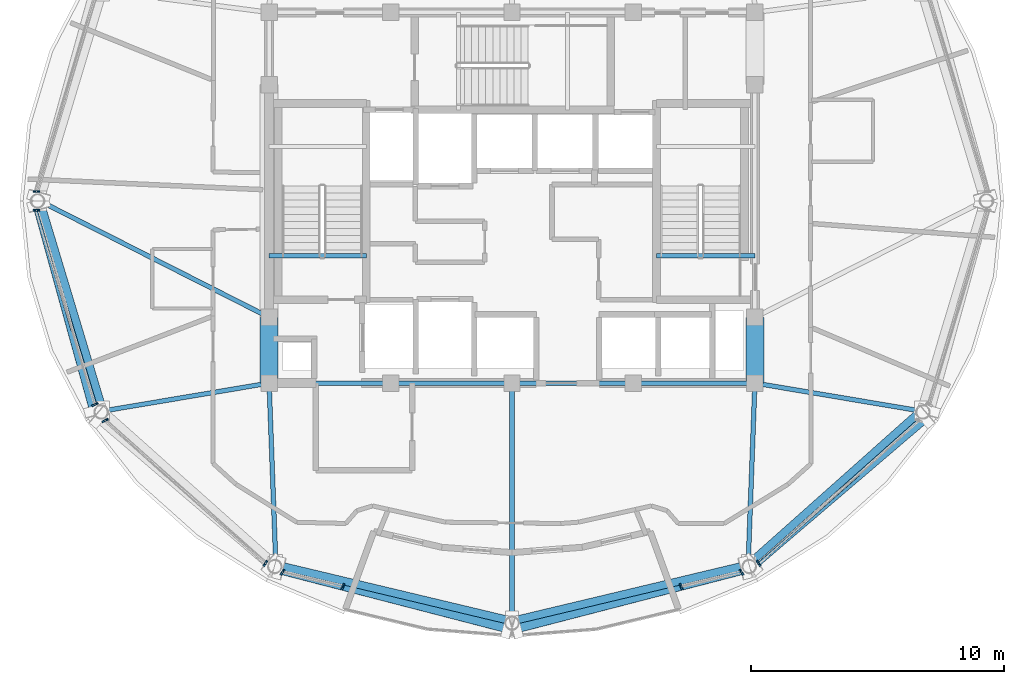
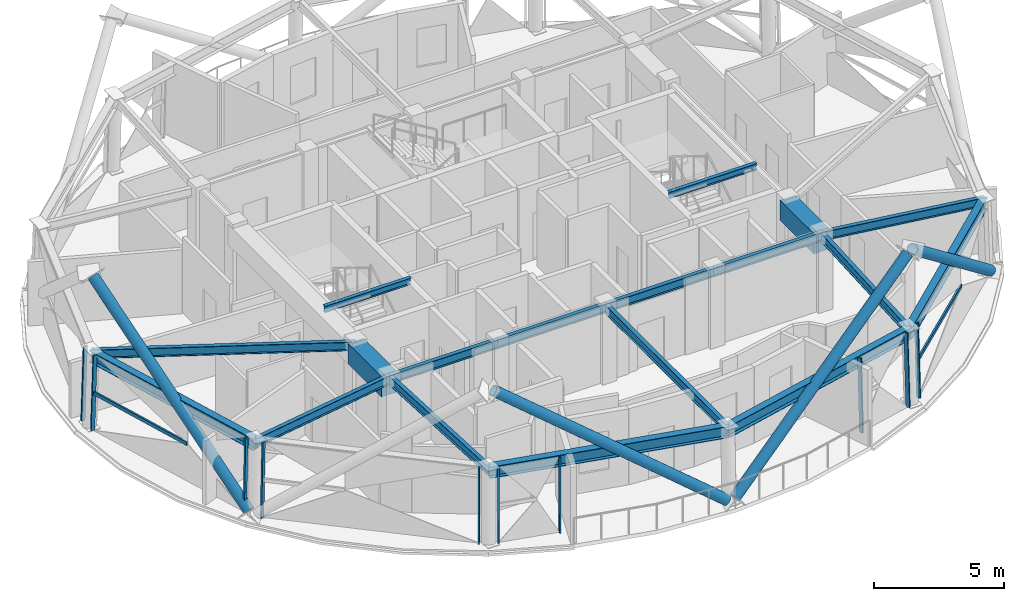
# One storey, part 2 of 13: 18 beams, 16 members, 6 elements without a shape of their own.
"""IFC4 building model written with IfcOpenShell, lengths in metres."""

from ifc_helpers import new_model, si_unit, direction, frame, origin, origin_2d, place, context, subcontext, project, spatial, rectangle, hollow_rectangle, hollow_circle, i_section, extrude, material, layer, layer_set, material_profile, profile_set, type_object, element, aggregate, save


model = new_model("IFC4")

# Units and contexts
model_context = context("Model", 3, precision=1e-05, world=origin(), true_north=direction((0.0, 1.0)))
body_context = subcontext(model_context, "Body", "Model", "MODEL_VIEW")
ifc_project = project(units=[si_unit("LENGTHUNIT", "METRE"), si_unit("AREAUNIT", "SQUARE_METRE"), si_unit("VOLUMEUNIT", "CUBIC_METRE"), si_unit("PLANEANGLEUNIT", "RADIAN"), si_unit("MASSUNIT", "GRAM", prefix="KILO")], contexts=[model_context])

# Site, building, storey
site_placement = place(None, origin())
site = spatial("IfcSite", under=ifc_project, at=site_placement, CompositionType="ELEMENT")
building_placement = place(site_placement, origin())
building = spatial("IfcBuilding", under=site, at=building_placement, Name="Vantalir Tower", CompositionType="ELEMENT")
storey_placement = place(building_placement, frame((0.0, 0.0, 282.60009765625)))
storey = spatial("IfcBuildingStorey", under=building, at=storey_placement, Name="L71", CompositionType="ELEMENT", Elevation=282.60009765625)

# Beams
ifc_material_1 = material(Name="Concrete C60/75", Category="concrete")
ifc_material_profile_1 = material_profile(ifc_material_1, rectangle(XDim=0.699951171875, YDim=0.949951171875, at=origin_2d()), Name="Concrete C60/75")
ifc_profile_set_1 = profile_set([ifc_material_profile_1], Name="Concrete C60/75")
beam_type_1 = type_object("IfcBeamType", Name="BM-CB-700x950", PredefinedType="USERDEFINED", material=ifc_profile_set_1)
for number, where, z_axis, x_axis, name in (
    (1, (41.10009765625, 17.800048828125, 3.094970703125), (0.0, 1.0, 0.0), (-1.0, 0.0, 0.0), "L71 Core Coupling Girder 05"),
    (2, (21.89990234375, 20.39990234375, 3.094970703125), (0.0, -1.0, 0.0), (1.0, 0.0, 0.0), "L71 Core Coupling Girder 14"),
):
    element("IfcBeam", number, at=place(storey_placement, frame(where, z_axis=z_axis, x_axis=x_axis)), inside=storey, type_object=beam_type_1, Name=name, ObjectType="GIRDER", PredefinedType="USERDEFINED", context=body_context, shape_type="SweptSolid", body=[
        extrude(rectangle(XDim=0.699951171875, YDim=0.949951171875, at=origin_2d()), origin(), (0.0, 0.0, 1.0), 2.599853515625),
    ])
ifc_material_2 = material(Name="Steel S355", Category="steel")
ifc_material_profile_2 = material_profile(ifc_material_2, i_section(OverallWidth=0.166015625, OverallDepth=0.306884765625, WebThickness=0.006591796875, FlangeThickness=0.01171875, at=origin_2d()), Name="Steel S355")
ifc_profile_set_2 = profile_set([ifc_material_profile_2], Name="Steel S355")
beam_type_2 = type_object("IfcBeamType", Name="BM-JS-305x165", PredefinedType="JOIST", material=ifc_profile_set_2)
beam_1_placement = place(storey_placement, frame((21.89990234375, 22.8349609375, 3.595947265625), z_axis=(1.0, 0.0, 0.0), x_axis=(0.0, 1.0, 0.0)))
element("IfcBeam", 3, at=beam_1_placement, inside=storey, type_object=beam_type_2, Name="L72 Stair ST1 Well Nosing Trimmer Beam", PredefinedType="JOIST", context=body_context, shape_type="SweptSolid", body=[
    extrude(i_section(OverallWidth=0.166015625, OverallDepth=0.306884765625, WebThickness=0.006591796875, FlangeThickness=0.01171875, at=origin_2d()), origin(), (0.0, 0.0, 1.0), 3.840087890625),
])
beam_2_placement = place(storey_placement, frame((37.2099609375, 22.8349609375, 3.595947265625), z_axis=(1.0, 0.0, 0.0), x_axis=(0.0, 1.0, 0.0)))
element("IfcBeam", 4, at=beam_2_placement, inside=storey, type_object=beam_type_2, Name="L72 Stair ST2 Well Nosing Trimmer Beam", PredefinedType="JOIST", context=body_context, shape_type="SweptSolid", body=[
    extrude(i_section(OverallWidth=0.166015625, OverallDepth=0.306884765625, WebThickness=0.006591796875, FlangeThickness=0.01171875, at=origin_2d()), origin(), (0.0, 0.0, 1.0), 3.89013671875),
])
ifc_material_profile_3 = material_profile(ifc_material_2, i_section(OverallWidth=0.179931640625, OverallDepth=0.4130859375, WebThickness=0.009521484375, FlangeThickness=0.01611328125, at=origin_2d()), Name="Steel S355")
ifc_profile_set_3 = profile_set([ifc_material_profile_3], Name="Steel S355")
beam_type_3 = type_object("IfcBeamType", Name="BM-RB-406x178", PredefinedType="BEAM", material=ifc_profile_set_3)
for number, where, z_axis, x_axis, name in (
    (5, (21.89990234375, 17.800048828125, 3.364013671875), (1.0, 0.0, 0.0), (0.0, 1.0, 0.0), "L71 Core Coupling Girder 01"),
    (6, (26.699951171875, 17.800048828125, 3.364013671875), (1.0, 0.0, 0.0), (0.0, 1.0, 0.0), "L71 Core Coupling Girder 02"),
    (7, (31.5, 17.800048828125, 3.364013671875), (1.0, 0.0, 0.0), (0.0, 1.0, 0.0), "L71 Core Coupling Girder 03"),
    (8, (36.300048828125, 17.800048828125, 3.364013671875), (1.0, 0.0, 0.0), (0.0, 1.0, 0.0), "L71 Core Coupling Girder 04"),
):
    element("IfcBeam", number, at=place(storey_placement, frame(where, z_axis=z_axis, x_axis=x_axis)), inside=storey, type_object=beam_type_3, Name=name, PredefinedType="BEAM", context=body_context, shape_type="SweptSolid", body=[
        extrude(i_section(OverallWidth=0.179931640625, OverallDepth=0.4130859375, WebThickness=0.009521484375, FlangeThickness=0.01611328125, at=origin_2d()), origin(), (0.0, 0.0, 1.0), 4.800048828125),
    ])
beam_3_placement = place(storey_placement, frame((12.8349609375, 25.0, 3.364013671875), z_axis=(0.891750275666, -0.452527839862, 0.0), x_axis=(0.452527839862, 0.891750275666, 0.0)))
element("IfcBeam", 9, at=beam_3_placement, inside=storey, type_object=beam_type_3, Name="L71 Radial Floor Beam 07", PredefinedType="BEAM", context=body_context, shape_type="SweptSolid", body=[
    extrude(i_section(OverallWidth=0.179931640625, OverallDepth=0.4130859375, WebThickness=0.009521484375, FlangeThickness=0.01611328125, at=origin_2d()), origin(), (0.0, 0.0, 1.0), 10.165283203125),
])
beam_4_placement = place(storey_placement, frame((15.3359375, 16.697021484375, 3.364013671875), z_axis=(0.986172961214, 0.165719312607, 0.0), x_axis=(-0.165719312607, 0.986172961214, 0.0)))
element("IfcBeam", 10, at=beam_4_placement, inside=storey, type_object=beam_type_3, Name="L71 Radial Floor Beam 08", PredefinedType="BEAM", context=body_context, shape_type="SweptSolid", body=[
    extrude(i_section(OverallWidth=0.179931640625, OverallDepth=0.4130859375, WebThickness=0.009521484375, FlangeThickness=0.01611328125, at=origin_2d()), origin(), (0.0, 0.0, 1.0), 6.656005859375),
])
beam_5_placement = place(storey_placement, frame((22.1669921875, 10.618896484375, 3.364013671875), z_axis=(-0.037167474722, 0.999309050706, 0.0), x_axis=(-0.999309050706, -0.037167474722, 0.0)))
element("IfcBeam", 11, at=beam_5_placement, inside=storey, type_object=beam_type_3, Name="L71 Radial Floor Beam 09", PredefinedType="BEAM", context=body_context, shape_type="SweptSolid", body=[
    extrude(i_section(OverallWidth=0.179931640625, OverallDepth=0.4130859375, WebThickness=0.009521484375, FlangeThickness=0.01611328125, at=origin_2d()), origin(), (0.0, 0.0, 1.0), 7.18603515625),
])
beam_6_placement = place(storey_placement, frame((31.5, 8.39404296875, 3.364013671875), z_axis=(0.0, 1.0, 0.0), x_axis=(-1.0, 0.0, 0.0)))
element("IfcBeam", 12, at=beam_6_placement, inside=storey, type_object=beam_type_3, Name="L71 Radial Floor Beam 10", PredefinedType="BEAM", context=body_context, shape_type="SweptSolid", body=[
    extrude(i_section(OverallWidth=0.179931640625, OverallDepth=0.4130859375, WebThickness=0.009521484375, FlangeThickness=0.01611328125, at=origin_2d()), origin(), (0.0, 0.0, 1.0), 9.406005859375),
])
beam_7_placement = place(storey_placement, frame((40.8330078125, 10.618896484375, 3.364013671875), z_axis=(0.037167474722, 0.999309050706, 0.0), x_axis=(-0.999309050706, 0.037167474722, 0.0)))
element("IfcBeam", 13, at=beam_7_placement, inside=storey, type_object=beam_type_3, Name="L71 Radial Floor Beam 11", PredefinedType="BEAM", context=body_context, shape_type="SweptSolid", body=[
    extrude(i_section(OverallWidth=0.179931640625, OverallDepth=0.4130859375, WebThickness=0.009521484375, FlangeThickness=0.01611328125, at=origin_2d()), origin(), (0.0, 0.0, 1.0), 7.18603515625),
])
beam_8_placement = place(storey_placement, frame((47.6640625, 16.697021484375, 3.364013671875), z_axis=(-0.986172961214, 0.165719312607, 0.0), x_axis=(-0.165719312607, -0.986172961214, 0.0)))
element("IfcBeam", 14, at=beam_8_placement, inside=storey, type_object=beam_type_3, Name="L71 Radial Floor Beam 12", PredefinedType="BEAM", context=body_context, shape_type="SweptSolid", body=[
    extrude(i_section(OverallWidth=0.179931640625, OverallDepth=0.4130859375, WebThickness=0.009521484375, FlangeThickness=0.01611328125, at=origin_2d()), origin(), (0.0, 0.0, 1.0), 6.656005859375),
])
ifc_material_3 = material(Name="Steel S460", Category="steel")
ifc_material_profile_4 = material_profile(ifc_material_3, i_section(OverallWidth=0.31201171875, OverallDepth=0.5419921875, WebThickness=0.0126953125, FlangeThickness=0.020263671875, at=origin_2d()), Name="Steel S460")
ifc_profile_set_4 = profile_set([ifc_material_profile_4], Name="Steel S460")
beam_type_4 = type_object("IfcBeamType", Name="BM-RG-533x312", PredefinedType="USERDEFINED", material=ifc_profile_set_4)
beam_9_placement = place(storey_placement, frame((12.8349609375, 25.0, 3.298828125), z_axis=(0.288414477958, -0.957505659985, 0.0), x_axis=(0.957505659985, 0.288414477958, 0.0)))
element("IfcBeam", 15, at=beam_9_placement, inside=storey, type_object=beam_type_4, Name="L71 Circumferential Ring Girder 07", ObjectType="GIRDER", PredefinedType="USERDEFINED", context=body_context, shape_type="SweptSolid", body=[
    extrude(i_section(OverallWidth=0.31201171875, OverallDepth=0.5419921875, WebThickness=0.0126953125, FlangeThickness=0.020263671875, at=origin_2d()), origin(), (0.0, 0.0, 1.0), 8.67138671875),
])
for number, where, z_axis, x_axis, name in (
    (16, (22.1669921875, 10.618896484375, 3.298828125), (0.972742563461, -0.231887699613, 0.0), (0.231887699613, 0.972742563461, 0.0), "L71 Circumferential Ring Girder 09"),
    (17, (31.5, 8.39404296875, 3.298828125), (0.972742563461, 0.231887699613, 0.0), (-0.231887699613, 0.972742563461, 0.0), "L71 Circumferential Ring Girder 10"),
):
    element("IfcBeam", number, at=place(storey_placement, frame(where, z_axis=z_axis, x_axis=x_axis)), inside=storey, type_object=beam_type_4, Name=name, ObjectType="GIRDER", PredefinedType="USERDEFINED", context=body_context, shape_type="SweptSolid", body=[
        extrude(i_section(OverallWidth=0.31201171875, OverallDepth=0.5419921875, WebThickness=0.0126953125, FlangeThickness=0.020263671875, at=origin_2d()), origin(), (0.0, 0.0, 1.0), 9.594482421875),
    ])
beam_10_placement = place(storey_placement, frame((40.8330078125, 10.618896484375, 3.298828125), z_axis=(0.747079245469, 0.664734985532, 0.0), x_axis=(-0.664734985532, 0.747079245469, 0.0)))
element("IfcBeam", 18, at=beam_10_placement, inside=storey, type_object=beam_type_4, Name="L71 Circumferential Ring Girder 11", ObjectType="GIRDER", PredefinedType="USERDEFINED", context=body_context, shape_type="SweptSolid", body=[
    extrude(i_section(OverallWidth=0.31201171875, OverallDepth=0.5419921875, WebThickness=0.0126953125, FlangeThickness=0.020263671875, at=origin_2d()), origin(), (0.0, 0.0, 1.0), 9.143798828125),
])

# Curtain wall, member
ifc_material_4 = material(Name="Champagne-silver PVDF aluminium and double-silver Low-E glass", Category="aluminium")
ifc_layer = layer(ifc_material_4, 0.219970703125)
ifc_layer_set = layer_set([ifc_layer], Name="Champagne-silver PVDF aluminium and double-silver Low-E glass")
curtain_wall_type = type_object("IfcCurtainWallType", Name="CW-DIAMOND-Z4", PredefinedType="USERDEFINED", material=ifc_layer_set)
curtain_wall_1_placement = place(storey_placement, origin())
curtain_wall_1 = element("IfcCurtainWall", 19, at=curtain_wall_1_placement, inside=storey, type_object=curtain_wall_type, Name="L71 Quilted Pyramid-Diamond Curtain Wall S06", ObjectType="UNITISED CURTAIN WALL", PredefinedType="USERDEFINED")
ifc_material_5 = material(Name="Champagne-silver PVDF aluminium 6063-T6", Category="aluminium")
ifc_material_profile_5 = material_profile(ifc_material_5, hollow_rectangle(XDim=0.070068359375, YDim=0.1650390625, WallThickness=0.00390625, at=origin_2d()), Name="Champagne-silver PVDF aluminium 6063-T6")
ifc_profile_set_5 = profile_set([ifc_material_profile_5], Name="Champagne-silver PVDF aluminium 6063-T6")
member_type_1 = type_object("IfcMemberType", Name="CWM-165x70", PredefinedType="MULLION", material=ifc_profile_set_5)
member_1_placement = place(storey_placement, frame((12.652099609375, 25.373046875, 0.044921875), z_axis=(0.030153253369, 0.0, 0.999545287274), x_axis=(0.0, 1.0, 0.0)))
member_1 = element("IfcMember", 20, at=member_1_placement, type_object=member_type_1, Name="CW-L71-S06 Mullion 2", PredefinedType="MULLION", context=body_context, shape_type="SweptSolid", body=[
    extrude(hollow_rectangle(XDim=0.070068359375, YDim=0.1650390625, WallThickness=0.00390625, at=origin_2d()), origin(), (0.0, 0.0, 1.0), 3.4814453125),
])
aggregate(curtain_wall_1, [member_1])

# Curtain wall, members
curtain_wall_2_placement = place(storey_placement, origin())
curtain_wall_2 = element("IfcCurtainWall", 21, at=curtain_wall_2_placement, inside=storey, type_object=curtain_wall_type, Name="L71 Quilted Pyramid-Diamond Curtain Wall S07", ObjectType="UNITISED CURTAIN WALL", PredefinedType="USERDEFINED")
member_2_placement = place(storey_placement, frame((12.652099609375, 24.626953125, 0.044921875), z_axis=(0.030153253369, 0.0, 0.999545287274), x_axis=(0.0, 1.0, 0.0)))
member_2 = element("IfcMember", 22, at=member_2_placement, type_object=member_type_1, Name="CW-L71-S07 Mullion 1", PredefinedType="MULLION", context=body_context, shape_type="SweptSolid", body=[
    extrude(hollow_rectangle(XDim=0.070068359375, YDim=0.1650390625, WallThickness=0.00390625, at=origin_2d()), origin(), (0.0, 0.0, 1.0), 3.4814453125),
])
member_3_placement = place(storey_placement, frame((14.968017578125, 16.927978515625, 0.044921875), z_axis=(0.026156742266, 0.013534185676, 0.999566231248), x_axis=(-0.459552467317, 0.888150623364, 0.0)))
member_3 = element("IfcMember", 23, at=member_3_placement, type_object=member_type_1, Name="CW-L71-S07 Mullion 2", PredefinedType="MULLION", context=body_context, shape_type="SweptSolid", body=[
    extrude(hollow_rectangle(XDim=0.070068359375, YDim=0.1650390625, WallThickness=0.00390625, at=origin_2d()), origin(), (0.0, 0.0, 1.0), 3.4814453125),
])

curtain_wall_3_placement = place(storey_placement, origin())
curtain_wall_3 = element("IfcCurtainWall", 24, at=curtain_wall_3_placement, inside=storey, type_object=curtain_wall_type, Name="L71 Quilted Pyramid-Diamond Curtain Wall S08", ObjectType="UNITISED CURTAIN WALL", PredefinedType="USERDEFINED")
member_4_placement = place(storey_placement, frame((15.37109375, 16.2958984375, 0.044921875), z_axis=(0.026086664737, 0.013534210468, 0.99956806225), x_axis=(-0.460526100671, 0.887646162951, 0.0)))
member_4 = element("IfcMember", 25, at=member_4_placement, type_object=member_type_1, Name="CW-L71-S08 Mullion 1", PredefinedType="MULLION", context=body_context, shape_type="SweptSolid", body=[
    extrude(hollow_rectangle(XDim=0.070068359375, YDim=0.1650390625, WallThickness=0.00390625, at=origin_2d()), origin(), (0.0, 0.0, 1.0), 3.4814453125),
])
member_5_placement = place(storey_placement, frame((21.72900390625, 10.632080078125, 0.044921875), z_axis=(0.014937479726, 0.023212703237, 0.999618948454), x_axis=(-0.840930749774, 0.541142748344, 0.0)))
member_5 = element("IfcMember", 26, at=member_5_placement, type_object=member_type_1, Name="CW-L71-S08 Mullion 2", PredefinedType="MULLION", context=body_context, shape_type="SweptSolid", body=[
    extrude(hollow_rectangle(XDim=0.070068359375, YDim=0.1650390625, WallThickness=0.00390625, at=origin_2d()), origin(), (0.0, 0.0, 1.0), 3.481201171875),
])
aggregate(curtain_wall_3, [member_4, member_5])

curtain_wall_4_placement = place(storey_placement, origin())
curtain_wall_4 = element("IfcCurtainWall", 27, at=curtain_wall_4_placement, inside=storey, type_object=curtain_wall_type, Name="L71 Quilted Pyramid-Diamond Curtain Wall S09", ObjectType="UNITISED CURTAIN WALL", PredefinedType="USERDEFINED")
member_6_placement = place(storey_placement, frame((22.39892578125, 10.281982421875, 0.044921875), z_axis=(0.014937455373, 0.023282794291, 0.999617318736), x_axis=(-0.841672342527, 0.539988581199, 0.0)))
member_6 = element("IfcMember", 28, at=member_6_placement, type_object=member_type_1, Name="CW-L71-S09 Mullion 1", PredefinedType="MULLION", context=body_context, shape_type="SweptSolid", body=[
    extrude(hollow_rectangle(XDim=0.070068359375, YDim=0.1650390625, WallThickness=0.00390625, at=origin_2d()), origin(), (0.0, 0.0, 1.0), 3.481201171875),
])
member_7_placement = place(storey_placement, frame((24.801025390625, 9.708984375, 0.044921875), z_axis=(0.009748213367, 0.024686123058, 0.999647721782), x_axis=(-0.930107717717, 0.367286854439, 0.0)))
member_7 = element("IfcMember", 29, at=member_7_placement, type_object=member_type_1, Name="CW-L71-S09 Mullion 2", PredefinedType="MULLION", context=body_context, shape_type="SweptSolid", body=[
    extrude(hollow_rectangle(XDim=0.070068359375, YDim=0.1650390625, WallThickness=0.00390625, at=origin_2d()), origin(), (0.0, 0.0, 1.0), 3.481201171875),
])
aggregate(curtain_wall_4, [member_6, member_7])

curtain_wall_5_placement = place(storey_placement, origin())
curtain_wall_5 = element("IfcCurtainWall", 30, at=curtain_wall_5_placement, inside=storey, type_object=curtain_wall_type, Name="L71 Quilted Pyramid-Diamond Curtain Wall S10", ObjectType="UNITISED CURTAIN WALL", PredefinedType="USERDEFINED")
member_8_placement = place(storey_placement, frame((38.198974609375, 9.708984375, 0.044921875), z_axis=(-0.009748213367, 0.024686123058, 0.999647721782), x_axis=(-0.930107717717, -0.367286854439, 0.0)))
member_8 = element("IfcMember", 31, at=member_8_placement, type_object=member_type_1, Name="CW-L71-S10 Mullion 1", PredefinedType="MULLION", context=body_context, shape_type="SweptSolid", body=[
    extrude(hollow_rectangle(XDim=0.070068359375, YDim=0.1650390625, WallThickness=0.00390625, at=origin_2d()), origin(), (0.0, 0.0, 1.0), 3.481201171875),
])
member_9_placement = place(storey_placement, frame((40.60107421875, 10.281982421875, 0.044921875), z_axis=(-0.014937455373, 0.023282794291, 0.999617318736), x_axis=(-0.841672342527, -0.539988581199, 0.0)))
member_9 = element("IfcMember", 32, at=member_9_placement, type_object=member_type_1, Name="CW-L71-S10 Mullion 2", PredefinedType="MULLION", context=body_context, shape_type="SweptSolid", body=[
    extrude(hollow_rectangle(XDim=0.070068359375, YDim=0.1650390625, WallThickness=0.00390625, at=origin_2d()), origin(), (0.0, 0.0, 1.0), 3.481201171875),
])
aggregate(curtain_wall_5, [member_8, member_9])

# Curtain wall, member
curtain_wall_6_placement = place(storey_placement, origin())
curtain_wall_6 = element("IfcCurtainWall", 33, at=curtain_wall_6_placement, inside=storey, type_object=curtain_wall_type, Name="L71 Quilted Pyramid-Diamond Curtain Wall S11", ObjectType="UNITISED CURTAIN WALL", PredefinedType="USERDEFINED")
member_10_placement = place(storey_placement, frame((41.27099609375, 10.632080078125, 0.044921875), z_axis=(-0.014937479726, 0.023212703237, 0.999618948454), x_axis=(-0.840930749774, -0.541142748344, 0.0)))
member_10 = element("IfcMember", 34, at=member_10_placement, type_object=member_type_1, Name="CW-L71-S11 Mullion 1", PredefinedType="MULLION", context=body_context, shape_type="SweptSolid", body=[
    extrude(hollow_rectangle(XDim=0.070068359375, YDim=0.1650390625, WallThickness=0.00390625, at=origin_2d()), origin(), (0.0, 0.0, 1.0), 3.481201171875),
])

# Member
ifc_material_profile_6 = material_profile(ifc_material_5, hollow_rectangle(XDim=0.074951171875, YDim=0.159912109375, WallThickness=0.00390625, at=origin_2d()), Name="Champagne-silver PVDF aluminium 6063-T6")
ifc_profile_set_6 = profile_set([ifc_material_profile_6], Name="Champagne-silver PVDF aluminium 6063-T6")
member_type_2 = type_object("IfcMemberType", Name="CWT-160x75", PredefinedType="USERDEFINED", material=ifc_profile_set_6)
member_11_placement = place(storey_placement, frame((12.705078125, 24.626953125, 1.784912109375), z_axis=(0.283373872452, -0.959009514245, 0.0), x_axis=(0.959009514245, 0.283373872452, 0.0)))
member_11 = element("IfcMember", 35, at=member_11_placement, type_object=member_type_2, Name="CW-L71-S07 Pyramid Fold Ridge Transom", ObjectType="TRANSOM", PredefinedType="USERDEFINED", context=body_context, shape_type="SweptSolid", body=[
    extrude(hollow_rectangle(XDim=0.074951171875, YDim=0.159912109375, WallThickness=0.00390625, at=origin_2d()), origin(), (0.0, 0.0, 1.0), 4.968505859375),
])

aggregate(curtain_wall_2, [member_2, member_3, member_11])

member_12_placement = place(storey_placement, frame((41.2451171875, 10.673095703125, 1.784912109375), z_axis=(0.749701225935, 0.661776451555, 0.0), x_axis=(-0.661776451555, 0.749701225935, 0.0)))
member_12 = element("IfcMember", 36, at=member_12_placement, type_object=member_type_2, Name="CW-L71-S11 Pyramid Fold Ridge Transom", ObjectType="TRANSOM", PredefinedType="USERDEFINED", context=body_context, shape_type="SweptSolid", body=[
    extrude(hollow_rectangle(XDim=0.074951171875, YDim=0.159912109375, WallThickness=0.00390625, at=origin_2d()), origin(), (0.0, 0.0, 1.0), 5.267333984375),
])

aggregate(curtain_wall_6, [member_10, member_12])

# Members
ifc_material_profile_7 = material_profile(ifc_material_3, hollow_circle(Radius=0.22998046875, WallThickness=0.028076171875, at=origin_2d()), Name="Steel S460")
ifc_profile_set_7 = profile_set([ifc_material_profile_7], Name="Steel S460")
member_type_3 = type_object("IfcMemberType", Name="MEM-DB-460x28", PredefinedType="BRACE", material=ifc_profile_set_7)
member_13_placement = place(storey_placement, frame((15.034912109375, 16.718994140625, 0.218994140625), z_axis=(-0.205979277598, 0.746397061832, 0.632822220919), x_axis=(-0.963967239965, -0.266020977131, 0.0)))
element("IfcMember", 37, at=member_13_placement, inside=storey, type_object=member_type_3, Name="L71 Perimeter S460 Diagrid Brace R22R", PredefinedType="BRACE", context=body_context, shape_type="SweptSolid", body=[
    extrude(hollow_circle(Radius=0.22998046875, WallThickness=0.028076171875, at=origin_2d()), origin(), (0.0, 0.0, 1.0), 10.874755859375),
])
for number, where, z_axis, x_axis, name in (
    (38, (31.6708984375, 8.154052734375, 0.2109375), (0.778475114506, 0.201477775581, 0.594460429331), (-0.250555335915, 0.968102279537, 0.0), "L71 Perimeter S460 Diagrid Brace R28L"),
    (39, (31.3291015625, 8.154052734375, 0.2109375), (-0.778475114506, 0.201477775581, 0.594460429331), (-0.250555335915, -0.968102279537, 0.0), "L71 Perimeter S460 Diagrid Brace R28R"),
):
    element("IfcMember", number, at=place(storey_placement, frame(where, z_axis=z_axis, x_axis=x_axis)), inside=storey, type_object=member_type_3, Name=name, PredefinedType="BRACE", context=body_context, shape_type="SweptSolid", body=[
        extrude(hollow_circle(Radius=0.22998046875, WallThickness=0.028076171875, at=origin_2d()), origin(), (0.0, 0.0, 1.0), 11.603759765625),
    ])
member_14_placement = place(storey_placement, frame((47.7880859375, 16.44189453125, 0.21484375), z_axis=(-0.60168259491, -0.514013487382, 0.611365839552), x_axis=(0.649541572784, -0.760326078223, 0.0)))
element("IfcMember", 40, at=member_14_placement, inside=storey, type_object=member_type_3, Name="L71 Perimeter S460 Diagrid Brace R34R", PredefinedType="BRACE", context=body_context, shape_type="SweptSolid", body=[
    extrude(hollow_circle(Radius=0.22998046875, WallThickness=0.028076171875, at=origin_2d()), origin(), (0.0, 0.0, 1.0), 11.27001953125),
])

save(model, "model.ifc")
